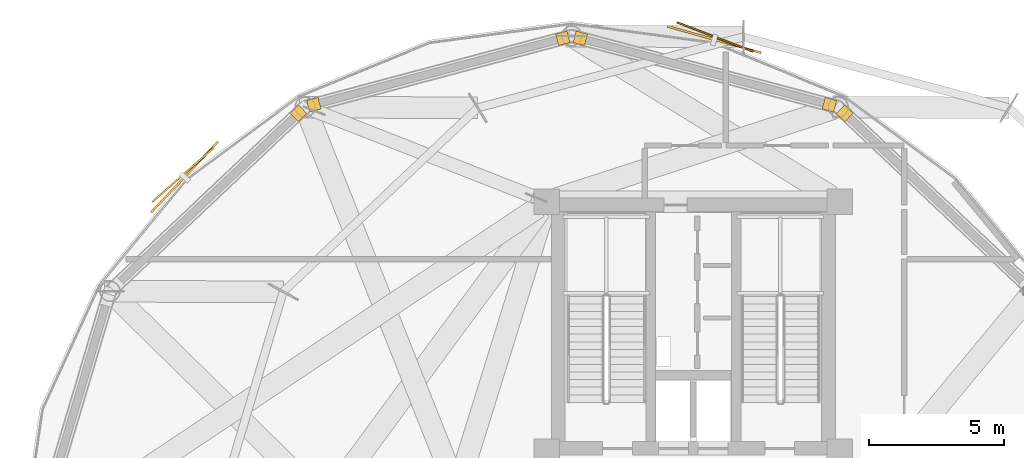
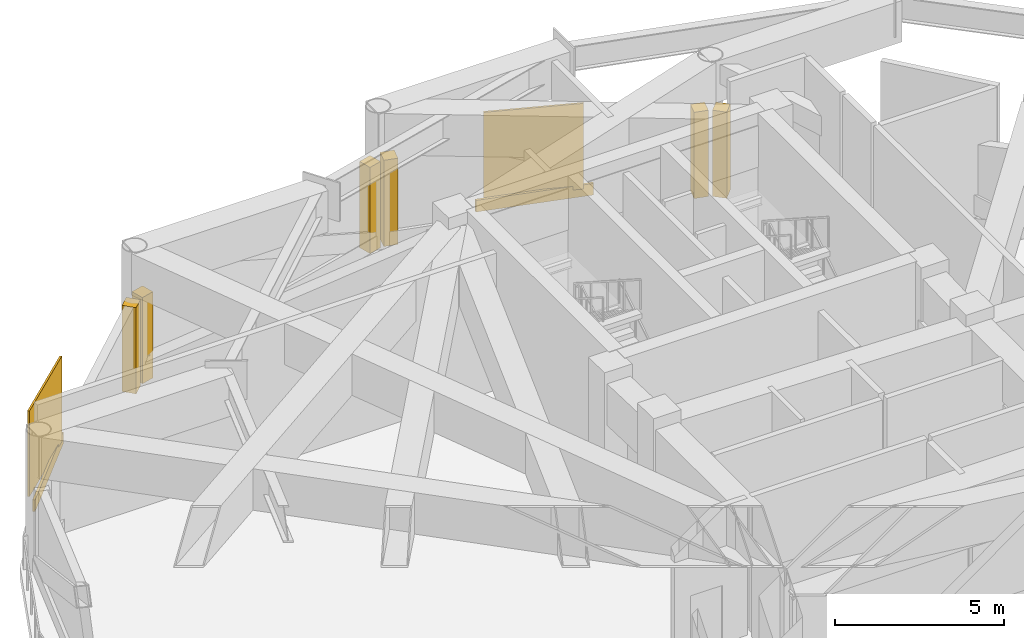
# One storey, part 8 of 8: 8 coverings, 2 shading devices.
"""IFC4 building model written with IfcOpenShell, lengths in metres."""

from ifc_helpers import new_model, si_unit, direction, frame, origin, origin_2d, place, context, subcontext, project, spatial, rectangle, extrude, source, transform, mapped, material, layer, layer_set, type_object, type_shapes, element, save


model = new_model("IFC4")

# Units and contexts
model_context = context("Model", 3, precision=1e-05, world=origin(), true_north=direction((0.0, 1.0)))
body_context = subcontext(model_context, "Body", "Model", "MODEL_VIEW")
ifc_project = project(units=[si_unit("LENGTHUNIT", "METRE"), si_unit("AREAUNIT", "SQUARE_METRE"), si_unit("VOLUMEUNIT", "CUBIC_METRE"), si_unit("PLANEANGLEUNIT", "RADIAN"), si_unit("MASSUNIT", "GRAM", prefix="KILO")], contexts=[model_context])

# Site, building, storey
site_placement = place(None, origin())
site = spatial("IfcSite", under=ifc_project, at=site_placement, CompositionType="ELEMENT")
building_placement = place(site_placement, origin())
building = spatial("IfcBuilding", under=site, at=building_placement, Name="Varnakorn Sky Granary", CompositionType="ELEMENT")
storey_placement = place(building_placement, frame((0.0, 0.0, 173.39990234375)))
storey = spatial("IfcBuildingStorey", under=building, at=storey_placement, Name="L43", CompositionType="ELEMENT", Elevation=173.39990234375)

# Coverings
ifc_material = material(Name="Anodised Bronze Aluminium Alloy 6063-T6", Category="aluminium")
ifc_layer = layer(ifc_material, 0.050048828125, Name="Anodised Bronze Aluminium Alloy 6063-T6")
ifc_layer_set = layer_set([ifc_layer], Name="Anodised Bronze Aluminium Alloy 6063-T6")
covering_type = type_object("IfcCoveringType", Name="CV-CLAD-50", PredefinedType="CLADDING", material=ifc_layer_set)
shared_shape_1 = source(origin(), body_context, "Body", "SweptSolid", [
    extrude(rectangle(XDim=3.60009765625, YDim=0.080078125, at=origin_2d()), origin(), (0.0, 0.0, 1.0), 0.419921875),
])
for number, where, z_axis, x_axis, name in (
    (1, (3.775390625, 18.61767578125, -0.329833984375), (0.0, 0.0, 1.0), (-0.962121947709, 0.272619437563, 0.0), "Bronze Slab-Edge Spandrel Cladding L43-03"),
    (2, (-15.814453125, 13.53125, -0.329833984375), (0.0, 0.0, 1.0), (-0.686942362982, -0.726711902985, 0.0), "Bronze Slab-Edge Spandrel Cladding L43-05"),
):
    element("IfcCovering", number, at=place(storey_placement, frame(where, z_axis=z_axis, x_axis=x_axis)), inside=storey, type_object=covering_type, Name=name, PredefinedType="CLADDING", context=body_context, shape_type="MappedRepresentation", body=[
        mapped(shared_shape_1, transform((0.0, 0.0, 0.0), x_axis=(1.0, 0.0, 0.0), y_axis=(0.0, 1.0, 0.0), z_axis=(0.0, 0.0, 1.0), scale=1.0)),
    ])

# Shading devices
shading_device_type = type_object("IfcShadingDeviceType", Name="SH-SCR-02", PredefinedType="USERDEFINED", material=ifc_material)
shared_shape_2 = source(origin(), body_context, "Body", "SweptSolid", [
    extrude(rectangle(XDim=3.0, YDim=0.06494140625, at=origin_2d()), origin(), (0.0, 0.0, 1.0), 3.10009765625),
])
type_shapes(shading_device_type, [shared_shape_2])
for number, where, z_axis, x_axis, name in (
    (3, (3.802490234375, 18.7138671875, -0.0400390625), (0.0, 0.0, 1.0), (-0.93314065664, 0.359511494845, 0.0), "Perforated Bronze Solar Screen Panel SCREEN L43-03"),
    (4, (-15.88720703125, 13.599853515625, -0.0400390625), (0.0, 0.0, 1.0), (-0.750555905443, -0.660806955778, 0.0), "Perforated Bronze Solar Screen Panel SCREEN L43-05"),
):
    element("IfcShadingDevice", number, at=place(storey_placement, frame(where, z_axis=z_axis, x_axis=x_axis)), inside=storey, type_object=shading_device_type, Name=name, ObjectType="SCREEN", PredefinedType="USERDEFINED", context=body_context, shape_type="MappedRepresentation", body=[
        mapped(shared_shape_2, transform((0.0, 0.0, 0.0), x_axis=(1.0, 0.0, 0.0), y_axis=(0.0, 1.0, 0.0), z_axis=(0.0, 0.0, 1.0), scale=1.0)),
    ])

# Coverings
shared_shape_3 = source(origin(), body_context, "Body", "SweptSolid", [
    extrude(rectangle(XDim=0.43994140625, YDim=0.43994140625, at=origin_2d()), origin(), (0.0, 0.0, 1.0), 3.1201171875),
])
type_shapes(covering_type, [shared_shape_1, shared_shape_3])
for number, where, z_axis, x_axis, name in (
    (5, (8.601806640625, 15.890380859375, -0.02001953125), (0.0, 0.0, 1.0), (0.727054171443, -0.686580098596, 0.0), "Bronze Corner Pilaster Closure L43-P02-A"),
    (6, (-1.17529296875, 18.663330078125, -0.02001953125), (0.0, 0.0, 1.0), (0.966241312443, -0.257638751216, 0.0), "Bronze Corner Pilaster Closure L43-P03-A"),
    (7, (8.03271484375, 16.207763671875, -0.02001953125), (0.0, 0.0, 1.0), (0.966241312443, -0.257638751216, 0.0), "Bronze Corner Pilaster Closure L43-P03-B"),
    (8, (-11.03271484375, 16.207763671875, -0.02001953125), (0.0, 0.0, 1.0), (0.966241312443, 0.257638751216, 0.0), "Bronze Corner Pilaster Closure L43-P04-A"),
    (9, (-1.82470703125, 18.663330078125, -0.02001953125), (0.0, 0.0, 1.0), (0.966241312443, 0.257638751216, 0.0), "Bronze Corner Pilaster Closure L43-P04-B"),
    (10, (-11.601806640625, 15.890380859375, -0.02001953125), (0.0, 0.0, 1.0), (0.727054171443, 0.686580098596, 0.0), "Bronze Corner Pilaster Closure L43-P05-B"),
):
    element("IfcCovering", number, at=place(storey_placement, frame(where, z_axis=z_axis, x_axis=x_axis)), inside=storey, type_object=covering_type, Name=name, PredefinedType="CLADDING", context=body_context, shape_type="MappedRepresentation", body=[
        mapped(shared_shape_3, transform((0.0, 0.0, 0.0), x_axis=(1.0, 0.0, 0.0), y_axis=(0.0, 1.0, 0.0), z_axis=(0.0, 0.0, 1.0), scale=1.0)),
    ])

save(model, "model.ifc")
